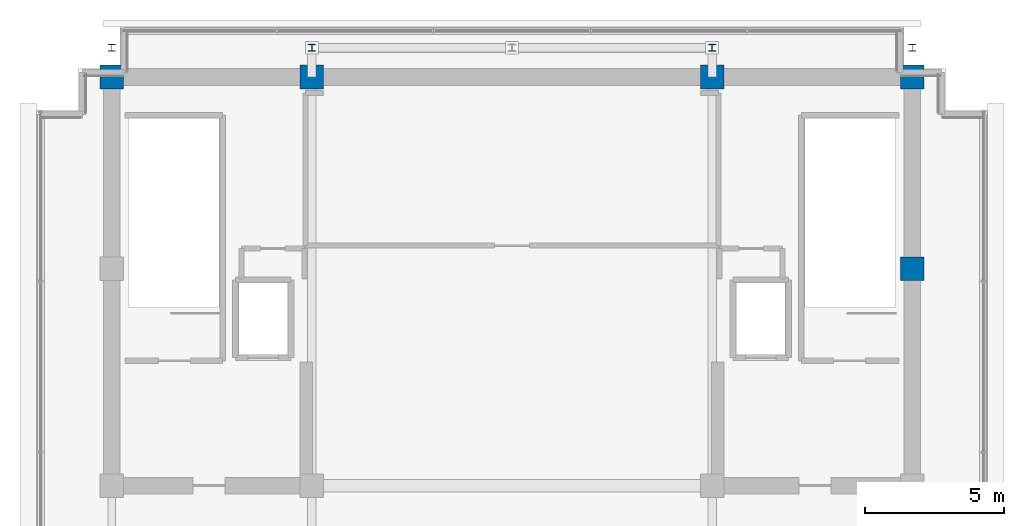
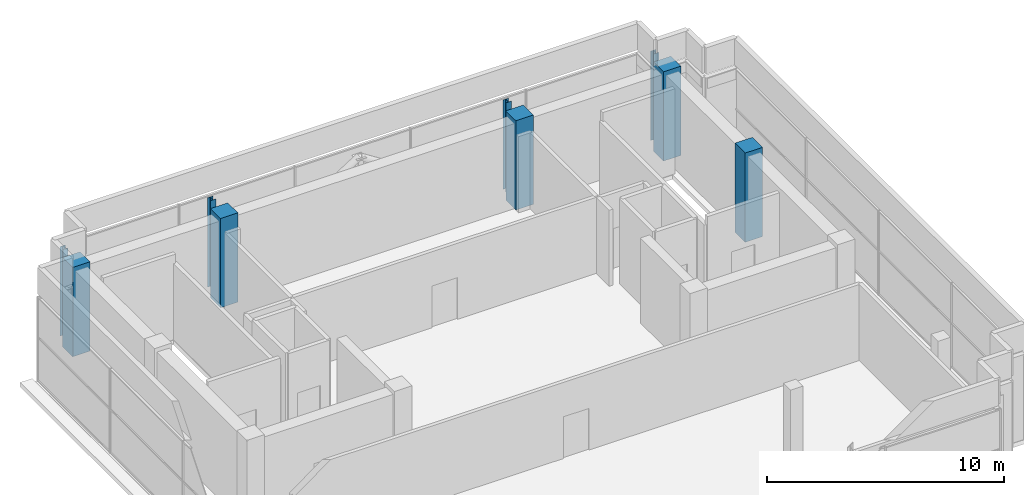
# One storey, part 2 of 22: 9 columns.
"""IFC4 building model written with IfcOpenShell, lengths in metres."""

from ifc_helpers import new_model, si_unit, direction, frame, origin, origin_2d, place, context, subcontext, project, spatial, rectangle, i_section, extrude, material, material_profile, profile_set, type_object, element, save


model = new_model("IFC4")

# Units and contexts
model_context = context("Model", 3, precision=1e-05, world=origin(), true_north=direction((0.0, 1.0)))
body_context = subcontext(model_context, "Body", "Model", "MODEL_VIEW")
ifc_project = project(units=[si_unit("LENGTHUNIT", "METRE"), si_unit("AREAUNIT", "SQUARE_METRE"), si_unit("VOLUMEUNIT", "CUBIC_METRE"), si_unit("PLANEANGLEUNIT", "RADIAN"), si_unit("MASSUNIT", "GRAM", prefix="KILO")], contexts=[model_context])

# Site, building, storey
site_placement = place(None, origin())
site = spatial("IfcSite", under=ifc_project, at=site_placement, CompositionType="ELEMENT")
building_placement = place(site_placement, origin())
building = spatial("IfcBuilding", under=site, at=building_placement, Name="Zarnakvel Exchange Tower", CompositionType="ELEMENT")
storey_placement = place(building_placement, frame((0.0, 0.0, 299.199951171875)))
storey = spatial("IfcBuildingStorey", under=building, at=storey_placement, Name="Crown L83", CompositionType="ELEMENT", Elevation=299.199951171875)

# Columns
ifc_material_1 = material(Name="Concrete C50/60", Category="concrete")
ifc_material_profile_1 = material_profile(ifc_material_1, rectangle(XDim=0.85009765625, YDim=0.85009765625, at=origin_2d()))
ifc_profile_set_1 = profile_set([ifc_material_profile_1], Name="Concrete C50/60")
column_type_1 = type_object("IfcColumnType", Name="CC-03", PredefinedType="COLUMN", material=ifc_profile_set_1)
for number, where, z_axis, x_axis, name in (
    (1, (14.39990234375, 6.60009765625, 0.0), (0.0, 0.0, 1.0), (1.0, 0.0, 0.0), "Crown L83 Column C-9E (CC-03)"),
    (2, (-14.39990234375, 13.5, 0.0), (0.0, 0.0, 1.0), (1.0, 0.0, 0.0), "Crown L83 Column C-4F (CC-03)"),
    (3, (-7.199951171875, 13.5, 0.0), (0.0, 0.0, 1.0), (1.0, 0.0, 0.0), "Crown L83 Column C-5F (CC-03)"),
    (4, (7.199951171875, 13.5, 0.0), (0.0, 0.0, 1.0), (1.0, 0.0, 0.0), "Crown L83 Column C-8F (CC-03)"),
    (5, (14.39990234375, 13.5, 0.0), (0.0, 0.0, 1.0), (1.0, 0.0, 0.0), "Crown L83 Column C-9F (CC-03)"),
):
    element("IfcColumn", number, at=place(storey_placement, frame(where, z_axis=z_axis, x_axis=x_axis)), inside=storey, type_object=column_type_1, Name=name, PredefinedType="COLUMN", context=body_context, shape_type="SweptSolid", body=[
        extrude(rectangle(XDim=0.85009765625, YDim=0.85009765625, at=origin_2d()), origin(), (0.0, 0.0, 1.0), 4.60009765625),
    ])
ifc_material_2 = material(Name="Steel S355", Category="steel")
ifc_material_profile_2 = material_profile(ifc_material_2, i_section(OverallWidth=0.260009765625, OverallDepth=0.260009765625, WebThickness=0.010009765625, FlangeThickness=0.017578125, FilletRadius=0.02392578125, at=origin_2d()))
ifc_profile_set_2 = profile_set([ifc_material_profile_2], Name="Steel S355")
column_type_2 = type_object("IfcColumnType", Name="CF-02", PredefinedType="COLUMN", material=ifc_profile_set_2)
for number, where, z_axis, x_axis, name in (
    (6, (-14.39990234375, 14.550048828125, 0.0), (0.0, 0.0, 1.0), (1.0, 0.0, 0.0), "Crown L83 Column CN-4 (CF-02)"),
    (7, (-7.199951171875, 14.550048828125, 0.0), (0.0, 0.0, 1.0), (1.0, 0.0, 0.0), "Crown L83 Column CN-5 (CF-02)"),
    (8, (7.199951171875, 14.550048828125, 0.0), (0.0, 0.0, 1.0), (1.0, 0.0, 0.0), "Crown L83 Column CN-8 (CF-02)"),
    (9, (14.39990234375, 14.550048828125, 0.0), (0.0, 0.0, 1.0), (1.0, 0.0, 0.0), "Crown L83 Column CN-9 (CF-02)"),
):
    element("IfcColumn", number, at=place(storey_placement, frame(where, z_axis=z_axis, x_axis=x_axis)), inside=storey, type_object=column_type_2, Name=name, PredefinedType="COLUMN", context=body_context, shape_type="SweptSolid", body=[
        extrude(i_section(OverallWidth=0.260009765625, OverallDepth=0.260009765625, WebThickness=0.010009765625, FlangeThickness=0.017578125, FilletRadius=0.02392578125, at=origin_2d()), origin(), (0.0, 0.0, 1.0), 4.60009765625),
    ])

save(model, "model.ifc")
